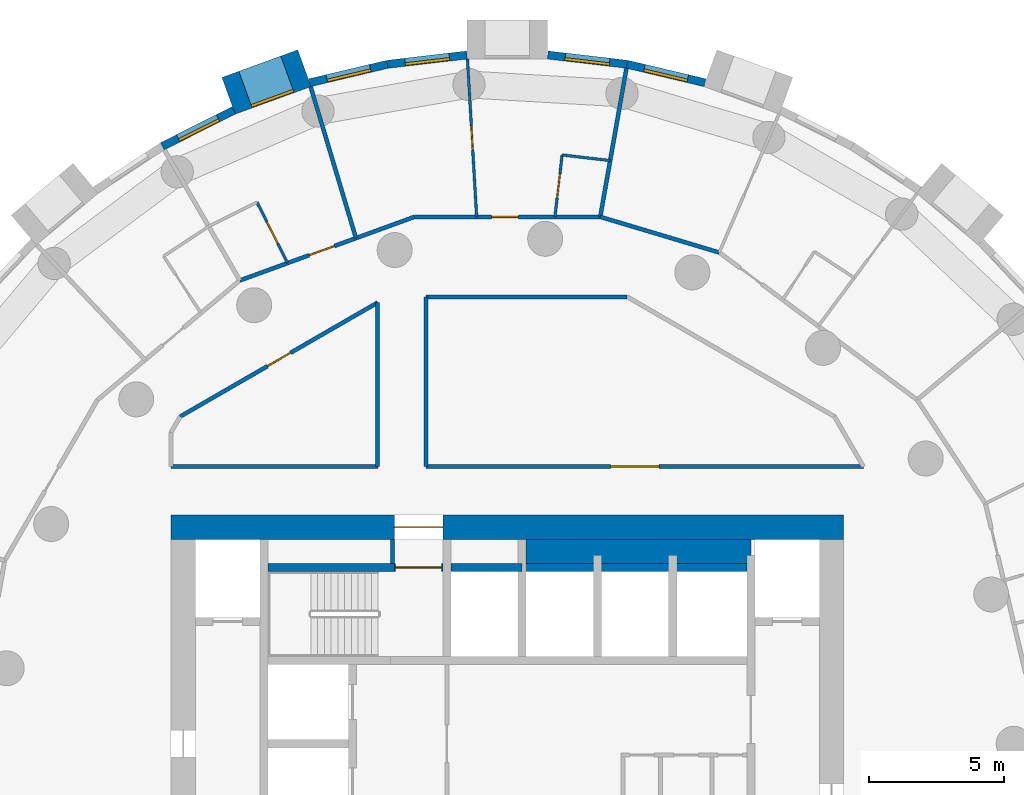
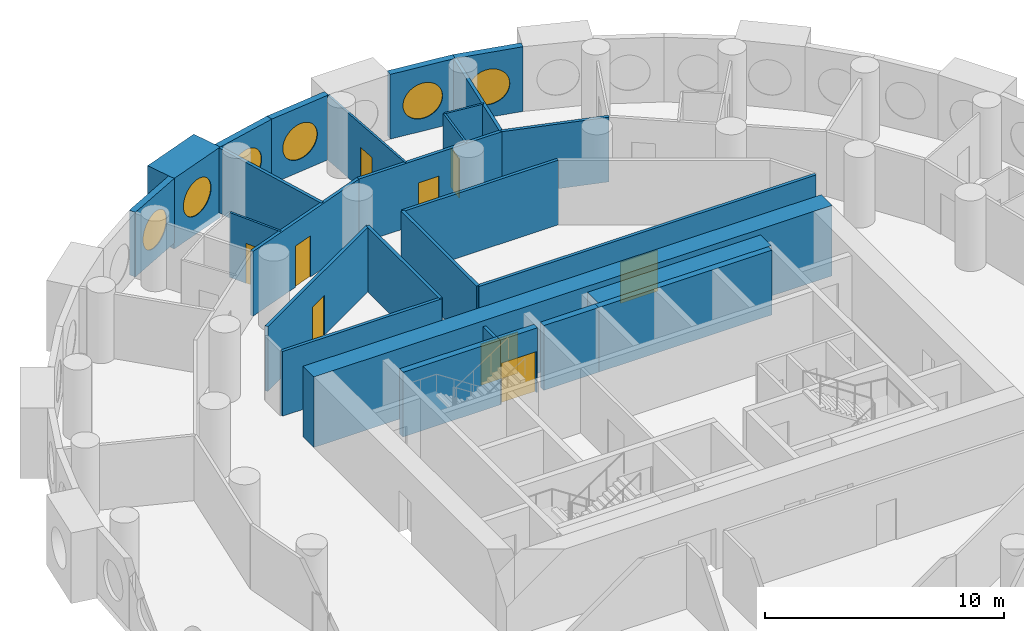
# One storey, part 6 of 9: 28 walls, 9 doors, 6 windows, 15 openings.
"""IFC4 building model written with IfcOpenShell, lengths in metres."""

import ifcopenshell
import ifcopenshell.guid

model = None  # the IFC model being written
_history = None  # IfcOwnerHistory: only IFC2X3 demands one
_inside = {}  # id of a spatial element -> (the spatial element, [elements in it])
_under = {}  # id of a project, library or spatial element -> (it, [spatial elements below it])
_declared = {}  # id of a project -> (the project, [libraries it declares])
_typed = {}  # id of a type object -> (the type object, [elements of that type])
_made_of = {}  # id of a material, layer set ... -> (it, [elements and type objects made of it])


def new_model(schema):
    """Start an empty IFC model of exactly this schema.

    Asked for "IFC4X3", IfcOpenShell would pick the latest addendum, in which some entities
    have other attributes; the version numbers below select the first issue.
    IFC2X3 requires an IfcOwnerHistory on every rooted entity: one is made here for all.
    """
    global model, _history
    if schema == "IFC4X3":
        model = ifcopenshell.file(schema_version=(4, 3, 0, 0))
    else:
        model = ifcopenshell.file(schema=schema)
    _inside.clear()
    _under.clear()
    _declared.clear()
    _typed.clear()
    _made_of.clear()
    _history = None
    if model.schema == "IFC2X3":
        org = make("IfcOrganization", Name="unknown")
        user = make(
            "IfcPersonAndOrganization",
            ThePerson=make("IfcPerson", FamilyName="unknown"),
            TheOrganization=org,
        )
        app = make(
            "IfcApplication",
            ApplicationDeveloper=org,
            Version="unknown",
            ApplicationFullName="unknown",
            ApplicationIdentifier="unknown",
        )
        _history = make(
            "IfcOwnerHistory",
            OwningUser=user,
            OwningApplication=app,
            ChangeAction="ADDED",
            CreationDate=0,
        )
    return model


def make(cls, **values):
    """One entity of the class cls with the attributes given. An attribute that is None is left unset."""
    return model.create_entity(
        cls, **{name: value for name, value in values.items() if value is not None}
    )


def rooted(cls, **values):
    """An entity with a GlobalId (a new one), such as an element, a storey or a relation."""
    return make(cls, GlobalId=ifcopenshell.guid.new(), OwnerHistory=_history, **values)


def si_unit(unit_type, name, prefix=None):
    """IfcSIUnit, for example si_unit("LENGTHUNIT", "METRE", prefix="MILLI")."""
    return make("IfcSIUnit", UnitType=unit_type, Prefix=prefix, Name=name)


def assignment(units):
    """IfcUnitAssignment: the units of a project."""
    return None if units is None else make("IfcUnitAssignment", Units=units)


def point(xyz):
    """IfcCartesianPoint."""
    return None if xyz is None else make("IfcCartesianPoint", Coordinates=xyz)


def direction(xyz):
    """IfcDirection."""
    return None if xyz is None else make("IfcDirection", DirectionRatios=xyz)


def frame(location, z_axis=None, x_axis=None):
    """IfcAxis2Placement3D, a coordinate frame: its origin and axes. An axis left out is left unset."""
    return make(
        "IfcAxis2Placement3D",
        Location=point(location),
        Axis=direction(z_axis),
        RefDirection=direction(x_axis),
    )


def frame_2d(location, x_axis=None):
    """IfcAxis2Placement2D, a coordinate frame in the plane: its origin and x axis."""
    return make(
        "IfcAxis2Placement2D", Location=point(location), RefDirection=direction(x_axis)
    )


def origin():
    """The frame at (0, 0, 0) with its axes left unset."""
    return frame((0.0, 0.0, 0.0))


def origin_2d():
    """The frame at (0, 0) in the plane with its x axis left unset."""
    return frame_2d((0.0, 0.0))


def place(relative_to, where):
    """IfcLocalPlacement: puts the frame where relative to a parent placement (None: the world)."""
    return make(
        "IfcLocalPlacement", PlacementRelTo=relative_to, RelativePlacement=where
    )


def context(
    kind, dimensions, precision=None, world=None, true_north=None, identifier=None
):
    """IfcGeometricRepresentationContext, for example the 3D "Model" context."""
    return make(
        "IfcGeometricRepresentationContext",
        ContextIdentifier=identifier,
        ContextType=kind,
        CoordinateSpaceDimension=dimensions,
        Precision=precision,
        WorldCoordinateSystem=world,
        TrueNorth=true_north,
    )


def subcontext(parent, identifier, kind, view, scale=None):
    """IfcGeometricRepresentationSubContext, for example "Body" below "Model"."""
    return make(
        "IfcGeometricRepresentationSubContext",
        ContextIdentifier=identifier,
        ContextType=kind,
        ParentContext=parent,
        TargetScale=scale,
        TargetView=view,
    )


def project(units=None, contexts=None):
    """IfcProject with its units and contexts."""
    return rooted(
        "IfcProject",
        Name="project",
        RepresentationContexts=contexts,
        UnitsInContext=assignment(units),
    )


def spatial(cls, under=None, at=None, **own):
    """A site, building, storey or space (cls), placed at a placement, below another one or the project."""
    s = rooted(cls, ObjectPlacement=at, **own)
    if under is not None:
        _under.setdefault(under.id(), (under, []))[1].append(s)
    return s


def profile(cls, at=None, kind="AREA", **sizes):
    """A parametric profile (cls). Its sizes go by their IFC names, for example OverallWidth=200.0."""
    return make(cls, ProfileType=kind, Position=at, **sizes)


def rectangle(**sizes):
    """IfcRectangleProfileDef."""
    return profile("IfcRectangleProfileDef", **sizes)


def circle(**sizes):
    """IfcCircleProfileDef."""
    return profile("IfcCircleProfileDef", **sizes)


def extrude(swept, where, along, depth):
    """IfcExtrudedAreaSolid: the profile swept, set in the frame where, extruded along a direction by depth."""
    return make(
        "IfcExtrudedAreaSolid",
        SweptArea=swept,
        Position=where,
        ExtrudedDirection=direction(along),
        Depth=depth,
    )


def shape(context_of_items, identifier, shape_type, items):
    """IfcShapeRepresentation: the items that make up one representation, for example the "Body"."""
    return make(
        "IfcShapeRepresentation",
        ContextOfItems=context_of_items,
        RepresentationIdentifier=identifier,
        RepresentationType=shape_type,
        Items=items,
    )


def material(Name=None, Category=None):
    """IfcMaterial."""
    return make("IfcMaterial", Name=Name, Category=Category)


def layer(
    of_material, thickness, ventilated=None, Name=None, Category=None, Priority=None
):
    """IfcMaterialLayer: one layer of a wall or slab, of a material (None: an air gap)."""
    return make(
        "IfcMaterialLayer",
        Material=of_material,
        LayerThickness=thickness,
        IsVentilated=ventilated,
        Name=Name,
        Category=Category,
        Priority=Priority,
    )


def layer_set(layers, Name=None):
    """IfcMaterialLayerSet."""
    return make("IfcMaterialLayerSet", MaterialLayers=layers, LayerSetName=Name)


def made_of(thing, what):
    """Note that an element or type object is made of a material, layer set ...; save() writes the relation."""
    if what is not None:
        _made_of.setdefault(what.id(), (what, []))[1].append(thing)
    return thing


def type_object(cls, material=None, **own):
    """A type object (cls), such as IfcWallType, which elements share."""
    return made_of(rooted(cls, **own), material)


def element(
    cls,
    number,
    at=None,
    inside=None,
    cuts=None,
    type_object=None,
    material=None,
    context=None,
    identifier="Body",
    shape_type=None,
    held_by="IfcProductDefinitionShape",
    body=None,
    shapes=None,
    **own,
):
    """One element of the class cls, such as IfcWall. Its Tag is "e" and its number.

    at: its placement. inside: the storey or other place that contains it. cuts: it is an
    opening in that element (IfcRelVoidsElement). A single representation is given by context,
    identifier, shape_type and body (its items); several are given by shapes. held_by: the class
    of the entity that holds the representations. save() writes the other relations.
    """
    e = rooted(cls, Tag="e%d" % number, ObjectPlacement=at, **own)
    if body is not None:
        shapes = [shape(context, identifier, shape_type, body)]
    if shapes is not None:
        e.Representation = make(held_by, Representations=shapes)
    if inside is not None:
        _inside.setdefault(inside.id(), (inside, []))[1].append(e)
    if cuts is not None:
        rooted(
            "IfcRelVoidsElement", RelatingBuildingElement=cuts, RelatedOpeningElement=e
        )
    if type_object is not None:
        _typed.setdefault(type_object.id(), (type_object, []))[1].append(e)
    return made_of(e, material)


def fill(opening, filler):
    """IfcRelFillsElement: the door or window that sits in an opening."""
    return rooted(
        "IfcRelFillsElement",
        RelatingOpeningElement=opening,
        RelatedBuildingElement=filler,
    )


def aggregate(whole, parts):
    """IfcRelAggregates: a whole, such as a stair, and the parts it consists of."""
    return rooted("IfcRelAggregates", RelatingObject=whole, RelatedObjects=parts)


def save(model, path):
    """Write the relations noted so far, then the file.

    IfcRelAggregates (storeys below a building ...), IfcRelContainedInSpatialStructure (elements
    in a storey), IfcRelDefinesByType, IfcRelAssociatesMaterial and IfcRelDeclares: one each for
    every whole, place, type object, material and project.
    """
    for whole, parts in _under.values():
        aggregate(whole, parts)
    for where, things in _inside.values():
        rooted(
            "IfcRelContainedInSpatialStructure",
            RelatedElements=things,
            RelatingStructure=where,
        )
    for kind, things in _typed.values():
        rooted("IfcRelDefinesByType", RelatedObjects=things, RelatingType=kind)
    for what, things in _made_of.values():
        rooted("IfcRelAssociatesMaterial", RelatedObjects=things, RelatingMaterial=what)
    for by, libraries in _declared.values():
        rooted("IfcRelDeclares", RelatingContext=by, RelatedDefinitions=libraries)
    model.write(path)


model = new_model("IFC4")

# Units and contexts
model_context = context("Model", 3, precision=1e-05, world=origin(), true_north=direction((0.0, 1.0)))
body_context = subcontext(model_context, "Body", "Model", "MODEL_VIEW")
ifc_project = project(units=[si_unit("LENGTHUNIT", "METRE"), si_unit("AREAUNIT", "SQUARE_METRE"), si_unit("VOLUMEUNIT", "CUBIC_METRE"), si_unit("PLANEANGLEUNIT", "RADIAN"), si_unit("MASSUNIT", "GRAM", prefix="KILO")], contexts=[model_context])

# Site, building, storey
site_placement = place(None, origin())
site = spatial("IfcSite", under=ifc_project, at=site_placement, CompositionType="ELEMENT")
building_placement = place(site_placement, origin())
building = spatial("IfcBuilding", under=site, at=building_placement, Name="Tracery Tower", CompositionType="ELEMENT")
storey_placement = place(building_placement, frame((0.0, 0.0, 169.199951171875)))
storey = spatial("IfcBuildingStorey", under=building, at=storey_placement, Name="L43", CompositionType="ELEMENT", Elevation=169.199951171875)

# Walls
ifc_material_1 = material(Name="Plasterboard on steel studs", Category="steel")
ifc_layer_1 = layer(ifc_material_1, 0.14990234375)
ifc_layer_set_1 = layer_set([ifc_layer_1], Name="Core room partition 150")
wall_type_1 = type_object("IfcWallType", Name="Core room partition 150", PredefinedType="SOLIDWALL", material=ifc_layer_set_1)
wall_1_placement = place(storey_placement, frame((-4.27490234375, 6.699951171875, 0.0), z_axis=(0.0, 0.0, 1.0), x_axis=(0.0, 1.0, 0.0)))
element("IfcWall", 1, at=wall_1_placement, inside=storey, type_object=wall_type_1, Name="L43 F N room", PredefinedType="SOLIDWALL", context=body_context, shape_type="SweptSolid", body=[
    extrude(rectangle(XDim=0.900146484375, YDim=0.14990234375, at=frame_2d((0.4501953125, 0.0))), origin(), (0.0, 0.0, 1.0), 3.300048828125),
])
ifc_material_2 = material(Name="Concrete C50/60", Category="concrete")
ifc_layer_2 = layer(ifc_material_2, 0.89990234375)
ifc_layer_set_2 = layer_set([ifc_layer_2], Name="Core strip wall 900 C50")
wall_type_2 = type_object("IfcWallType", Name="Core strip wall 900 C50", PredefinedType="SOLIDWALL", material=ifc_layer_set_2)
wall_2_placement = place(storey_placement, frame((0.699951171875, 7.14990234375, 0.0), z_axis=(0.0, 0.0, 1.0), x_axis=(1.0, 0.0, 0.0)))
element("IfcWall", 2, at=wall_2_placement, inside=storey, type_object=wall_type_2, Name="L43 F thick N E", PredefinedType="SOLIDWALL", context=body_context, shape_type="SweptSolid", body=[
    extrude(rectangle(XDim=8.35009765625, YDim=0.89990234375, at=frame_2d((4.175048828125, 0.0))), origin(), (0.0, 0.0, 1.0), 3.300048828125),
])

# Wall, opening, door
ifc_material_3 = material(Name="Concrete C50/60", Category="concrete")
ifc_layer_3 = layer(ifc_material_3, 0.89990234375)
ifc_layer_set_3 = layer_set([ifc_layer_3], Name="Core wall 900 C50")
wall_type_3 = type_object("IfcWallType", Name="Core wall 900 C50", PredefinedType="SOLIDWALL", material=ifc_layer_set_3)
wall_3_placement = place(storey_placement, frame((-12.5, 8.050048828125, 0.0), z_axis=(0.0, 0.0, 1.0), x_axis=(1.0, 0.0, 0.0)))
wall_3 = element("IfcWall", 3, at=wall_3_placement, inside=storey, type_object=wall_type_3, Name="L43 outer N", PredefinedType="SOLIDWALL", context=body_context, shape_type="SweptSolid", body=[
    extrude(rectangle(XDim=25.0, YDim=0.89990234375, at=frame_2d((12.5, 0.0))), origin(), (0.0, 0.0, 1.0), 3.60009765625),
])
opening_1_placement = place(wall_3_placement, frame((8.300048828125, 0.0, 0.0)))
opening_1 = element("IfcOpeningElement", 4, at=opening_1_placement, cuts=wall_3, Name="Opening KD13", PredefinedType="OPENING", context=body_context, shape_type="SweptSolid", body=[
    extrude(rectangle(XDim=1.800048828125, YDim=2.10009765625, at=frame_2d((0.89990234375, 1.050048828125))), frame((0.0, 0.449951171875, 0.0), z_axis=(0.0, -1.0, 0.0), x_axis=(1.0, 0.0, 0.0)), (0.0, 0.0, 1.0), 0.89990234375),
])
ifc_material_4 = material(Name="Steel fire door", Category="steel")
door_type_1 = type_object("IfcDoorType", Name="Core exit door 1800 double", OperationType="NOTDEFINED", PredefinedType="DOOR", material=ifc_material_4)
door_1_placement = place(opening_1_placement, origin())
door_1 = element("IfcDoor", 5, at=door_1_placement, inside=storey, type_object=door_type_1, Name="Core exit door", OperationType="DOUBLE_DOOR_SINGLE_SWING", OverallHeight=2.10009765625, OverallWidth=1.800048828125, PredefinedType="DOOR", context=body_context, shape_type="SweptSolid", body=[
    extrude(rectangle(XDim=1.800048828125, YDim=2.10009765625, at=frame_2d((0.89990234375, 1.050048828125))), frame((0.0, 0.02490234375, 0.0), z_axis=(0.0, -1.0, 0.0), x_axis=(1.0, 0.0, 0.0)), (0.0, 0.0, 1.0), 0.050048828125),
])
fill(opening_1, door_1)

# Wall, opening, window
ifc_material_5 = material(Name="Precast concrete C50/60", Category="concrete")
ifc_layer_4 = layer(ifc_material_5, 1.449951171875)
ifc_layer_set_4 = layer_set([ifc_layer_4], Name="Deep-set bay unit 3000 x 3600, slab edge 300")
wall_type_4 = type_object("IfcWallType", Name="Deep-set bay unit 3000 x 3600, slab edge 300", PredefinedType="ELEMENTEDWALL", material=ifc_layer_set_4)
wall_4_placement = place(storey_placement, frame((-7.544189453125, 25.11328125, -0.300048828125), z_axis=(0.0, 0.0, 1.0), x_axis=(-0.939686455819, -0.342037080957, 0.0)))
wall_4 = element("IfcWall", 6, at=wall_4_placement, inside=storey, type_object=wall_type_4, Name="Deep-set bay unit 17 at L43", PredefinedType="ELEMENTEDWALL", context=body_context, shape_type="SweptSolid", body=[
    extrude(rectangle(XDim=3.0, YDim=1.449951171875, at=frame_2d((1.5, 0.0))), origin(), (0.0, 0.0, 1.0), 3.60009765625),
])
opening_2_placement = place(wall_4_placement, frame((1.5, 0.0, 1.85009765625)))
opening_2 = element("IfcOpeningElement", 7, at=opening_2_placement, cuts=wall_4, Name="Opening WN1", PredefinedType="OPENING", context=body_context, shape_type="SweptSolid", body=[
    extrude(circle(Radius=0.9000244140625, at=origin_2d()), frame((0.0, 0.73486328125, 0.0), z_axis=(0.0, -1.0, 0.0), x_axis=(1.0, 0.0, 0.0)), (0.0, 0.0, 1.0), 1.469970703125),
])
ifc_material_6 = material(Name="Aluminium frame with tinted double glazing", Category="aluminium")
window_type = type_object("IfcWindowType", Name="Round window 1800", PartitioningType="SINGLE_PANEL", PredefinedType="WINDOW", material=ifc_material_6)
window_1_placement = place(opening_2_placement, origin())
window_1 = element("IfcWindow", 8, at=window_1_placement, inside=storey, type_object=window_type, Name="Round window 17 at L43", OverallHeight=1.800048828125, OverallWidth=1.800048828125, PartitioningType="SINGLE_PANEL", PredefinedType="WINDOW", context=body_context, shape_type="SweptSolid", body=[
    extrude(circle(Radius=0.9000244140625, at=origin_2d()), frame((0.0, 0.69482421875, 0.0), z_axis=(0.0, -1.0, 0.0), x_axis=(1.0, 0.0, 0.0)), (0.0, 0.0, 1.0), 0.10009765625),
])
fill(opening_2, window_1)

ifc_material_7 = material(Name="Precast concrete C50/60", Category="concrete")
ifc_layer_5 = layer(ifc_material_7, 0.300048828125)
ifc_layer_set_5 = layer_set([ifc_layer_5], Name="Facade panel 3000 x 3300")
wall_type_5 = type_object("IfcWallType", Name="Facade panel 3000 x 3300", PredefinedType="SOLIDWALL", material=ifc_layer_set_5)
wall_5_placement = place(storey_placement, frame((7.346435546875, 24.572265625, 0.0), z_axis=(0.0, 0.0, 1.0), x_axis=(-0.973049746156, 0.230595298102, 0.0)))
wall_5 = element("IfcWall", 9, at=wall_5_placement, inside=storey, type_object=wall_type_5, Name="Facade panel 12 at L43", PredefinedType="SOLIDWALL", context=body_context, shape_type="SweptSolid", body=[
    extrude(rectangle(XDim=2.972900390625, YDim=0.300048828125, at=frame_2d((1.486328125, 0.0))), origin(), (0.0, 0.0, 1.0), 3.300048828125),
])
opening_3_placement = place(wall_5_placement, frame((1.486328125, 0.0, 1.5498046875)))
opening_3 = element("IfcOpeningElement", 10, at=opening_3_placement, cuts=wall_5, Name="Opening WN1", PredefinedType="OPENING", context=body_context, shape_type="SweptSolid", body=[
    extrude(circle(Radius=0.9000244140625, at=origin_2d()), frame((0.0, 0.159912109375, 0.0), z_axis=(0.0, -1.0, 0.0), x_axis=(1.0, 0.0, 0.0)), (0.0, 0.0, 1.0), 0.320068359375),
])
window_2_placement = place(opening_3_placement, origin())
window_2 = element("IfcWindow", 11, at=window_2_placement, inside=storey, type_object=window_type, Name="Round window 12 at L43", OverallHeight=1.800048828125, OverallWidth=1.800048828125, PartitioningType="SINGLE_PANEL", PredefinedType="WINDOW", context=body_context, shape_type="SweptSolid", body=[
    extrude(circle(Radius=0.9000244140625, at=origin_2d()), frame((0.0, 0.1201171875, 0.0), z_axis=(0.0, -1.0, 0.0), x_axis=(1.0, 0.0, 0.0)), (0.0, 0.0, 1.0), 0.10009765625),
])
fill(opening_3, window_2)

wall_6_placement = place(storey_placement, frame((4.45361328125, 25.2578125, 0.0), z_axis=(0.0, 0.0, 1.0), x_axis=(-0.993235542767, 0.116116995244, 0.0)))
wall_6 = element("IfcWall", 12, at=wall_6_placement, inside=storey, type_object=wall_type_5, Name="Facade panel 13 at L43", PredefinedType="SOLIDWALL", context=body_context, shape_type="SweptSolid", body=[
    extrude(rectangle(XDim=2.972900390625, YDim=0.300048828125, at=frame_2d((1.486328125, 0.0))), origin(), (0.0, 0.0, 1.0), 3.300048828125),
])
opening_4_placement = place(wall_6_placement, frame((1.486328125, 0.0, 1.5498046875)))
opening_4 = element("IfcOpeningElement", 13, at=opening_4_placement, cuts=wall_6, Name="Opening WN1", PredefinedType="OPENING", context=body_context, shape_type="SweptSolid", body=[
    extrude(circle(Radius=0.9000244140625, at=origin_2d()), frame((0.0, 0.159912109375, 0.0), z_axis=(0.0, -1.0, 0.0), x_axis=(1.0, 0.0, 0.0)), (0.0, 0.0, 1.0), 0.320068359375),
])
window_3_placement = place(opening_4_placement, origin())
window_3 = element("IfcWindow", 14, at=window_3_placement, inside=storey, type_object=window_type, Name="Round window 13 at L43", OverallHeight=1.800048828125, OverallWidth=1.800048828125, PartitioningType="SINGLE_PANEL", PredefinedType="WINDOW", context=body_context, shape_type="SweptSolid", body=[
    extrude(circle(Radius=0.9000244140625, at=origin_2d()), frame((0.0, 0.1201171875, 0.0), z_axis=(0.0, -1.0, 0.0), x_axis=(1.0, 0.0, 0.0)), (0.0, 0.0, 1.0), 0.10009765625),
])
fill(opening_4, window_3)

wall_7_placement = place(storey_placement, frame((-1.500732421875, 25.60302734375, 0.0), z_axis=(0.0, 0.0, 1.0), x_axis=(-0.993235542767, -0.116116995244, 0.0)))
wall_7 = element("IfcWall", 15, at=wall_7_placement, inside=storey, type_object=wall_type_5, Name="Facade panel 15 at L43", PredefinedType="SOLIDWALL", context=body_context, shape_type="SweptSolid", body=[
    extrude(rectangle(XDim=2.972900390625, YDim=0.300048828125, at=frame_2d((1.486328125, 0.0))), origin(), (0.0, 0.0, 1.0), 3.300048828125),
])
opening_5_placement = place(wall_7_placement, frame((1.486328125, 0.0, 1.5498046875)))
opening_5 = element("IfcOpeningElement", 16, at=opening_5_placement, cuts=wall_7, Name="Opening WN1", PredefinedType="OPENING", context=body_context, shape_type="SweptSolid", body=[
    extrude(circle(Radius=0.9000244140625, at=origin_2d()), frame((0.0, 0.159912109375, 0.0), z_axis=(0.0, -1.0, 0.0), x_axis=(1.0, 0.0, 0.0)), (0.0, 0.0, 1.0), 0.320068359375),
])
window_4_placement = place(opening_5_placement, origin())
window_4 = element("IfcWindow", 17, at=window_4_placement, inside=storey, type_object=window_type, Name="Round window 15 at L43", OverallHeight=1.800048828125, OverallWidth=1.800048828125, PartitioningType="SINGLE_PANEL", PredefinedType="WINDOW", context=body_context, shape_type="SweptSolid", body=[
    extrude(circle(Radius=0.9000244140625, at=origin_2d()), frame((0.0, 0.1201171875, 0.0), z_axis=(0.0, -1.0, 0.0), x_axis=(1.0, 0.0, 0.0)), (0.0, 0.0, 1.0), 0.10009765625),
])
fill(opening_5, window_4)

wall_8_placement = place(storey_placement, frame((-4.45361328125, 25.2578125, 0.0), z_axis=(0.0, 0.0, 1.0), x_axis=(-0.973049746156, -0.230595298102, 0.0)))
wall_8 = element("IfcWall", 18, at=wall_8_placement, inside=storey, type_object=wall_type_5, Name="Facade panel 16 at L43", PredefinedType="SOLIDWALL", context=body_context, shape_type="SweptSolid", body=[
    extrude(rectangle(XDim=2.972900390625, YDim=0.300048828125, at=frame_2d((1.486328125, 0.0))), origin(), (0.0, 0.0, 1.0), 3.300048828125),
])
opening_6_placement = place(wall_8_placement, frame((1.486328125, 0.0, 1.5498046875)))
opening_6 = element("IfcOpeningElement", 19, at=opening_6_placement, cuts=wall_8, Name="Opening WN1", PredefinedType="OPENING", context=body_context, shape_type="SweptSolid", body=[
    extrude(circle(Radius=0.9000244140625, at=origin_2d()), frame((0.0, 0.159912109375, 0.0), z_axis=(0.0, -1.0, 0.0), x_axis=(1.0, 0.0, 0.0)), (0.0, 0.0, 1.0), 0.320068359375),
])
window_5_placement = place(opening_6_placement, origin())
window_5 = element("IfcWindow", 20, at=window_5_placement, inside=storey, type_object=window_type, Name="Round window 16 at L43", OverallHeight=1.800048828125, OverallWidth=1.800048828125, PartitioningType="SINGLE_PANEL", PredefinedType="WINDOW", context=body_context, shape_type="SweptSolid", body=[
    extrude(circle(Radius=0.9000244140625, at=origin_2d()), frame((0.0, 0.1201171875, 0.0), z_axis=(0.0, -1.0, 0.0), x_axis=(1.0, 0.0, 0.0)), (0.0, 0.0, 1.0), 0.10009765625),
])
fill(opening_6, window_5)

wall_9_placement = place(storey_placement, frame((-10.1669921875, 23.545654296875, 0.0), z_axis=(0.0, 0.0, 1.0), x_axis=(-0.893637442555, -0.448789618045, 0.0)))
wall_9 = element("IfcWall", 21, at=wall_9_placement, inside=storey, type_object=wall_type_5, Name="Facade panel 18 at L43", PredefinedType="SOLIDWALL", context=body_context, shape_type="SweptSolid", body=[
    extrude(rectangle(XDim=2.972900390625, YDim=0.300048828125, at=frame_2d((1.486328125, 0.0))), origin(), (0.0, 0.0, 1.0), 3.300048828125),
])
opening_7_placement = place(wall_9_placement, frame((1.486328125, 0.0, 1.5498046875)))
opening_7 = element("IfcOpeningElement", 22, at=opening_7_placement, cuts=wall_9, Name="Opening WN1", PredefinedType="OPENING", context=body_context, shape_type="SweptSolid", body=[
    extrude(circle(Radius=0.9000244140625, at=origin_2d()), frame((0.0, 0.159912109375, 0.0), z_axis=(0.0, -1.0, 0.0), x_axis=(1.0, 0.0, 0.0)), (0.0, 0.0, 1.0), 0.320068359375),
])
window_6_placement = place(opening_7_placement, origin())
window_6 = element("IfcWindow", 23, at=window_6_placement, inside=storey, type_object=window_type, Name="Round window 18 at L43", OverallHeight=1.800048828125, OverallWidth=1.800048828125, PartitioningType="SINGLE_PANEL", PredefinedType="WINDOW", context=body_context, shape_type="SweptSolid", body=[
    extrude(circle(Radius=0.9000244140625, at=origin_2d()), frame((0.0, 0.1201171875, 0.0), z_axis=(0.0, -1.0, 0.0), x_axis=(1.0, 0.0, 0.0)), (0.0, 0.0, 1.0), 0.10009765625),
])
fill(opening_7, window_6)

# Wall, opening, door
ifc_material_8 = material(Name="Plasterboard on steel studs", Category="steel")
ifc_layer_6 = layer(ifc_material_8, 0.10009765625)
ifc_layer_set_6 = layer_set([ifc_layer_6], Name="Partition 100 stud")
wall_type_6 = type_object("IfcWallType", Name="Partition 100 stud", PredefinedType="PARTITIONING", material=ifc_layer_set_6)
wall_10_placement = place(storey_placement, frame((-1.48291015625, 25.4541015625, 0.0), z_axis=(0.0, 0.0, 1.0), x_axis=(0.058147412668, -0.998308007781, 0.0)))
wall_10 = element("IfcWall", 24, at=wall_10_placement, inside=storey, type_object=wall_type_6, Name="Stud partition RB5-052", PredefinedType="PARTITIONING", context=body_context, shape_type="SweptSolid", body=[
    extrude(rectangle(XDim=5.878173828125, YDim=0.10009765625, at=frame_2d((2.93896484375, 0.0))), origin(), (0.0, 0.0, 1.0), 3.300048828125),
])
opening_8_placement = place(wall_10_placement, frame((2.489013671875, 0.0, 0.0)))
opening_8 = element("IfcOpeningElement", 25, at=opening_8_placement, cuts=wall_10, Name="Opening RB5-13", PredefinedType="OPENING", context=body_context, shape_type="SweptSolid", body=[
    extrude(rectangle(XDim=0.89990234375, YDim=2.10009765625, at=frame_2d((0.449951171875, 1.050048828125))), frame((0.0, 0.050048828125, 0.0), z_axis=(0.0, -1.0, 0.0), x_axis=(1.0, 0.0, 0.0)), (0.0, 0.0, 1.0), 0.10009765625),
])
ifc_material_9 = material(Name="Timber door leaf", Category="wood")
door_type_2 = type_object("IfcDoorType", Name="Door bedroom 900", OperationType="NOTDEFINED", PredefinedType="DOOR", material=ifc_material_9)
door_2_placement = place(opening_8_placement, origin())
door_2 = element("IfcDoor", 26, at=door_2_placement, inside=storey, type_object=door_type_2, Name="Bedroom door RB5-13", OperationType="SINGLE_SWING_RIGHT", OverallHeight=2.10009765625, OverallWidth=0.89990234375, PredefinedType="DOOR", context=body_context, shape_type="SweptSolid", body=[
    extrude(rectangle(XDim=0.89990234375, YDim=2.10009765625, at=frame_2d((0.449951171875, 1.050048828125))), frame((0.0, 0.02490234375, 0.0), z_axis=(0.0, -1.0, 0.0), x_axis=(1.0, 0.0, 0.0)), (0.0, 0.0, 1.0), 0.050048828125),
])
fill(opening_8, door_2)

# Wall
ifc_material_10 = material(Name="Plasterboard on steel studs", Category="steel")
ifc_layer_7 = layer(ifc_material_10, 0.10009765625)
ifc_layer_set_7 = layer_set([ifc_layer_7], Name="Partition 100 wet wall")
wall_type_7 = type_object("IfcWallType", Name="Partition 100 wet wall", PredefinedType="PARTITIONING", material=ifc_layer_set_7)
wall_11_placement = place(storey_placement, frame((2.037109375, 21.886962890625, 0.0), z_axis=(0.0, 0.0, 1.0), x_axis=(0.993215363366, -0.116289474906, 0.0)))
element("IfcWall", 27, at=wall_11_placement, inside=storey, type_object=wall_type_7, Name="Wet wall RB5-053", PredefinedType="PARTITIONING", context=body_context, shape_type="SweptSolid", body=[
    extrude(rectangle(XDim=1.797119140625, YDim=0.10009765625, at=frame_2d((0.8984375, 0.0))), origin(), (0.0, 0.0, 1.0), 3.300048828125),
])

# Wall, opening, door
wall_12_placement = place(storey_placement, frame((1.76806640625, 19.5859375, 0.0), z_axis=(0.0, 0.0, 1.0), x_axis=(0.116131951318, 0.993233794171, 0.0)))
wall_12 = element("IfcWall", 28, at=wall_12_placement, inside=storey, type_object=wall_type_7, Name="Wet wall RB5-054", PredefinedType="PARTITIONING", context=body_context, shape_type="SweptSolid", body=[
    extrude(rectangle(XDim=2.316650390625, YDim=0.10009765625, at=frame_2d((1.158203125, 0.0))), origin(), (0.0, 0.0, 1.0), 3.300048828125),
])
opening_9_placement = place(wall_12_placement, frame((0.708740234375, 0.0, 0.0)))
opening_9 = element("IfcOpeningElement", 29, at=opening_9_placement, cuts=wall_12, Name="Opening RB5-14", PredefinedType="OPENING", context=body_context, shape_type="SweptSolid", body=[
    extrude(rectangle(XDim=0.89990234375, YDim=2.0, at=frame_2d((0.449951171875, 1.0))), frame((0.0, 0.050048828125, 0.0), z_axis=(0.0, -1.0, 0.0), x_axis=(1.0, 0.0, 0.0)), (0.0, 0.0, 1.0), 0.10009765625),
])
ifc_material_11 = material(Name="Timber door leaf", Category="wood")
door_type_3 = type_object("IfcDoorType", Name="Door shower room 900", OperationType="NOTDEFINED", PredefinedType="DOOR", material=ifc_material_11)
door_3_placement = place(opening_9_placement, origin())
door_3 = element("IfcDoor", 30, at=door_3_placement, inside=storey, type_object=door_type_3, Name="Shower room door RB5-14", OperationType="SINGLE_SWING_LEFT", OverallHeight=2.0, OverallWidth=0.89990234375, PredefinedType="DOOR", context=body_context, shape_type="SweptSolid", body=[
    extrude(rectangle(XDim=0.89990234375, YDim=2.0, at=frame_2d((0.449951171875, 1.0))), frame((0.0, 0.02490234375, 0.0), z_axis=(0.0, -1.0, 0.0), x_axis=(1.0, 0.0, 0.0)), (0.0, 0.0, 1.0), 0.050048828125),
])
fill(opening_9, door_3)

wall_13_placement = place(storey_placement, frame((-9.305908203125, 20.1279296875, 0.0), z_axis=(0.0, 0.0, 1.0), x_axis=(0.448950999616, -0.893556377597, 0.0)))
wall_13 = element("IfcWall", 31, at=wall_13_placement, inside=storey, type_object=wall_type_7, Name="Wet wall RB5-056", PredefinedType="PARTITIONING", context=body_context, shape_type="SweptSolid", body=[
    extrude(rectangle(XDim=2.528076171875, YDim=0.10009765625, at=frame_2d((1.26416015625, 0.0))), origin(), (0.0, 0.0, 1.0), 3.300048828125),
])
opening_10_placement = place(wall_13_placement, frame((0.814208984375, 0.0, 0.0)))
opening_10 = element("IfcOpeningElement", 32, at=opening_10_placement, cuts=wall_13, Name="Opening RB5-16", PredefinedType="OPENING", context=body_context, shape_type="SweptSolid", body=[
    extrude(rectangle(XDim=0.89990234375, YDim=2.0400390625, at=frame_2d((0.449951171875, 1.02001953125))), frame((0.0, 0.050048828125, 0.0), z_axis=(0.0, -1.0, 0.0), x_axis=(1.0, 0.0, 0.0)), (0.0, 0.0, 1.0), 0.10009765625),
])
ifc_material_12 = material(Name="Timber door leaf", Category="wood")
door_type_4 = type_object("IfcDoorType", Name="Door en-suite 900", OperationType="NOTDEFINED", PredefinedType="DOOR", material=ifc_material_12)
door_4_placement = place(opening_10_placement, origin())
door_4 = element("IfcDoor", 33, at=door_4_placement, inside=storey, type_object=door_type_4, Name="En-suite door RB5-16", OperationType="SINGLE_SWING_LEFT", OverallHeight=2.0400390625, OverallWidth=0.89990234375, PredefinedType="DOOR", context=body_context, shape_type="SweptSolid", body=[
    extrude(rectangle(XDim=0.89990234375, YDim=2.0400390625, at=frame_2d((0.449951171875, 1.02001953125))), frame((0.0, 0.02490234375, 0.0), z_axis=(0.0, -1.0, 0.0), x_axis=(1.0, 0.0, 0.0)), (0.0, 0.0, 1.0), 0.050048828125),
])
fill(opening_10, door_4)

# Walls
ifc_material_13 = material(Name="Plasterboard on steel studs", Category="steel")
ifc_layer_8 = layer(ifc_material_13, 0.14990234375)
ifc_layer_set_8 = layer_set([ifc_layer_8], Name="Partition 150 acoustic unit wall")
wall_type_8 = type_object("IfcWallType", Name="Partition 150 acoustic unit wall", PredefinedType="PARTITIONING", material=ifc_layer_set_8)
wall_14_placement = place(storey_placement, frame((3.45361328125, 19.5859375, 0.0), z_axis=(0.0, 0.0, 1.0), x_axis=(0.173700915874, 0.984798452387, 0.0)))
element("IfcWall", 34, at=wall_14_placement, inside=storey, type_object=wall_type_8, Name="Unit wall RB5-051", PredefinedType="PARTITIONING", context=body_context, shape_type="SweptSolid", body=[
    extrude(rectangle(XDim=5.609375, YDim=0.14990234375, at=frame_2d((2.8046875, 0.0))), origin(), (0.0, 0.0, 1.0), 3.300048828125),
])
wall_15_placement = place(storey_placement, frame((-7.31298828125, 24.426025390625, 0.0), z_axis=(0.0, 0.0, 1.0), x_axis=(0.286833432865, -0.957980470464, 0.0)))
element("IfcWall", 35, at=wall_15_placement, inside=storey, type_object=wall_type_8, Name="Unit wall RB5-055", PredefinedType="PARTITIONING", context=body_context, shape_type="SweptSolid", body=[
    extrude(rectangle(XDim=5.878173828125, YDim=0.14990234375, at=frame_2d((2.93896484375, 0.0))), origin(), (0.0, 0.0, 1.0), 3.300048828125),
])
ifc_material_14 = material(Name="Plasterboard on steel studs", Category="steel")
ifc_layer_9 = layer(ifc_material_14, 0.14990234375)
ifc_layer_set_9 = layer_set([ifc_layer_9], Name="Partition 150 corridor wall")
wall_type_9 = type_object("IfcWallType", Name="Partition 150 corridor wall", PredefinedType="PARTITIONING", material=ifc_layer_set_9)
wall_16_placement = place(storey_placement, frame((-12.50390625, 10.300048828125, 0.0), z_axis=(0.0, 0.0, 1.0), x_axis=(1.0, 0.0, 0.0)))
element("IfcWall", 36, at=wall_16_placement, inside=storey, type_object=wall_type_9, Name="Corridor wall RB5-001", PredefinedType="PARTITIONING", context=body_context, shape_type="SweptSolid", body=[
    extrude(rectangle(XDim=7.68701171875, YDim=0.14990234375, at=frame_2d((3.843505859375, 0.0))), origin(), (0.0, 0.0, 1.0), 3.300048828125),
])

# Wall, opening, door
wall_17_placement = place(storey_placement, frame((-3.02490234375, 10.300048828125, 0.0), z_axis=(0.0, 0.0, 1.0), x_axis=(1.0, 0.0, 0.0)))
wall_17 = element("IfcWall", 37, at=wall_17_placement, inside=storey, type_object=wall_type_9, Name="Corridor wall RB5-002", PredefinedType="PARTITIONING", context=body_context, shape_type="SweptSolid", body=[
    extrude(rectangle(XDim=16.261962890625, YDim=0.14990234375, at=frame_2d((8.130859375, 0.0))), origin(), (0.0, 0.0, 1.0), 3.300048828125),
])
opening_11_placement = place(wall_17_placement, frame((6.863037109375, 0.0, 0.0)))
opening_11 = element("IfcOpeningElement", 38, at=opening_11_placement, cuts=wall_17, Name="Opening RB5-02", PredefinedType="OPENING", context=body_context, shape_type="SweptSolid", body=[
    extrude(rectangle(XDim=1.800048828125, YDim=2.10009765625, at=frame_2d((0.89990234375, 1.050048828125))), frame((0.0, 0.074951171875, 0.0), z_axis=(0.0, -1.0, 0.0), x_axis=(1.0, 0.0, 0.0)), (0.0, 0.0, 1.0), 0.14990234375),
])
ifc_material_15 = material(Name="Timber door leaf", Category="wood")
door_type_5 = type_object("IfcDoorType", Name="Door double lounge 1800", OperationType="NOTDEFINED", PredefinedType="DOOR", material=ifc_material_15)
door_5_placement = place(opening_11_placement, origin())
door_5 = element("IfcDoor", 39, at=door_5_placement, inside=storey, type_object=door_type_5, Name="Double lounge door RB5-02", OperationType="DOUBLE_DOOR_SINGLE_SWING", OverallHeight=2.10009765625, OverallWidth=1.800048828125, PredefinedType="DOOR", context=body_context, shape_type="SweptSolid", body=[
    extrude(rectangle(XDim=1.800048828125, YDim=2.10009765625, at=frame_2d((0.89990234375, 1.050048828125))), frame((0.0, 0.02490234375, 0.0), z_axis=(0.0, -1.0, 0.0), x_axis=(1.0, 0.0, 0.0)), (0.0, 0.0, 1.0), 0.050048828125),
])
fill(opening_11, door_5)

# Wall
wall_18_placement = place(storey_placement, frame((-4.821044921875, 10.300048828125, 0.0), z_axis=(0.0, 0.0, 1.0), x_axis=(0.0, 1.0, 0.0)))
element("IfcWall", 40, at=wall_18_placement, inside=storey, type_object=wall_type_9, Name="Corridor wall RB5-013", PredefinedType="PARTITIONING", context=body_context, shape_type="SweptSolid", body=[
    extrude(rectangle(XDim=6.100830078125, YDim=0.14990234375, at=frame_2d((3.05029296875, 0.0))), origin(), (0.0, 0.0, 1.0), 3.300048828125),
])

# Wall, opening, door
wall_19_placement = place(storey_placement, frame((-12.162109375, 12.162109375, 0.0), z_axis=(0.0, 0.0, 1.0), x_axis=(0.866004766557, 0.500035743023, 0.0)))
wall_19 = element("IfcWall", 41, at=wall_19_placement, inside=storey, type_object=wall_type_9, Name="Corridor wall RB5-014", PredefinedType="PARTITIONING", context=body_context, shape_type="SweptSolid", body=[
    extrude(rectangle(XDim=8.47705078125, YDim=0.14990234375, at=frame_2d((4.238525390625, 0.0))), origin(), (0.0, 0.0, 1.0), 3.300048828125),
])
opening_12_placement = place(wall_19_placement, frame((3.739013671875, 0.0, 0.0)))
opening_12 = element("IfcOpeningElement", 42, at=opening_12_placement, cuts=wall_19, Name="Opening RB5-01", PredefinedType="OPENING", context=body_context, shape_type="SweptSolid", body=[
    extrude(rectangle(XDim=1.0, YDim=2.0400390625, at=frame_2d((0.5, 1.02001953125))), frame((0.0, 0.074951171875, 0.0), z_axis=(0.0, -1.0, 0.0), x_axis=(1.0, 0.0, 0.0)), (0.0, 0.0, 1.0), 0.14990234375),
])
ifc_material_16 = material(Name="Timber door leaf", Category="wood")
door_type_6 = type_object("IfcDoorType", Name="Door communal room 1000", OperationType="NOTDEFINED", PredefinedType="DOOR", material=ifc_material_16)
door_6_placement = place(opening_12_placement, origin())
door_6 = element("IfcDoor", 43, at=door_6_placement, inside=storey, type_object=door_type_6, Name="Communal room door RB5-01", OperationType="SINGLE_SWING_LEFT", OverallHeight=2.0400390625, OverallWidth=1.0, PredefinedType="DOOR", context=body_context, shape_type="SweptSolid", body=[
    extrude(rectangle(XDim=1.0, YDim=2.0400390625, at=frame_2d((0.5, 1.02001953125))), frame((0.0, 0.02490234375, 0.0), z_axis=(0.0, -1.0, 0.0), x_axis=(1.0, 0.0, 0.0)), (0.0, 0.0, 1.0), 0.050048828125),
])
fill(opening_12, door_6)

# Walls
wall_20_placement = place(storey_placement, frame((-3.02099609375, 16.614013671875, 0.0), z_axis=(0.0, 0.0, 1.0), x_axis=(1.0, 0.0, 0.0)))
element("IfcWall", 44, at=wall_20_placement, inside=storey, type_object=wall_type_9, Name="Corridor wall RB5-016", PredefinedType="PARTITIONING", context=body_context, shape_type="SweptSolid", body=[
    extrude(rectangle(XDim=7.472900390625, YDim=0.14990234375, at=frame_2d((3.736328125, 0.0))), origin(), (0.0, 0.0, 1.0), 3.300048828125),
])
wall_21_placement = place(storey_placement, frame((-3.02099609375, 10.300048828125, 0.0), z_axis=(0.0, 0.0, 1.0), x_axis=(0.0, 1.0, 0.0)))
element("IfcWall", 45, at=wall_21_placement, inside=storey, type_object=wall_type_9, Name="Corridor wall RB5-017", PredefinedType="PARTITIONING", context=body_context, shape_type="SweptSolid", body=[
    extrude(rectangle(XDim=6.31396484375, YDim=0.14990234375, at=frame_2d((3.156982421875, 0.0))), origin(), (0.0, 0.0, 1.0), 3.300048828125),
])
wall_22_placement = place(storey_placement, frame((3.452880859375, 19.5859375, 0.0), z_axis=(0.0, 0.0, 1.0), x_axis=(0.95796149329, -0.286896806141, 0.0)))
element("IfcWall", 46, at=wall_22_placement, inside=storey, type_object=wall_type_9, Name="Corridor wall RB5-018", PredefinedType="PARTITIONING", context=body_context, shape_type="SweptSolid", body=[
    extrude(rectangle(XDim=4.6181640625, YDim=0.14990234375, at=frame_2d((2.30908203125, 0.0))), origin(), (0.0, 0.0, 1.0), 3.300048828125),
])

# Wall, opening, door
wall_23_placement = place(storey_placement, frame((-3.452880859375, 19.5859375, 0.0), z_axis=(0.0, 0.0, 1.0), x_axis=(1.0, 0.0, 0.0)))
wall_23 = element("IfcWall", 47, at=wall_23_placement, inside=storey, type_object=wall_type_9, Name="Corridor wall RB5-019", PredefinedType="PARTITIONING", context=body_context, shape_type="SweptSolid", body=[
    extrude(rectangle(XDim=6.90576171875, YDim=0.14990234375, at=frame_2d((3.452880859375, 0.0))), origin(), (0.0, 0.0, 1.0), 3.300048828125),
])
opening_13_placement = place(wall_23_placement, frame((2.865966796875, 0.0, 0.0)))
opening_13 = element("IfcOpeningElement", 48, at=opening_13_placement, cuts=wall_23, Name="Opening RB5-15", PredefinedType="OPENING", context=body_context, shape_type="SweptSolid", body=[
    extrude(rectangle(XDim=1.0, YDim=2.10009765625, at=frame_2d((0.5, 1.050048828125))), frame((0.0, 0.074951171875, 0.0), z_axis=(0.0, -1.0, 0.0), x_axis=(1.0, 0.0, 0.0)), (0.0, 0.0, 1.0), 0.14990234375),
])
ifc_material_17 = material(Name="Timber door leaf", Category="wood")
door_type_7 = type_object("IfcDoorType", Name="Door unit entrance 1000", OperationType="NOTDEFINED", PredefinedType="DOOR", material=ifc_material_17)
door_7_placement = place(opening_13_placement, origin())
door_7 = element("IfcDoor", 49, at=door_7_placement, inside=storey, type_object=door_type_7, Name="Unit entrance door RB5-15", OperationType="SINGLE_SWING_LEFT", OverallHeight=2.10009765625, OverallWidth=1.0, PredefinedType="DOOR", context=body_context, shape_type="SweptSolid", body=[
    extrude(rectangle(XDim=1.0, YDim=2.10009765625, at=frame_2d((0.5, 1.050048828125))), frame((0.0, 0.02490234375, 0.0), z_axis=(0.0, -1.0, 0.0), x_axis=(1.0, 0.0, 0.0)), (0.0, 0.0, 1.0), 0.050048828125),
])
fill(opening_13, door_7)

wall_24_placement = place(storey_placement, frame((-9.943603515625, 17.2216796875, 0.0), z_axis=(0.0, 0.0, 1.0), x_axis=(0.939607544688, 0.342253797591, 0.0)))
wall_24 = element("IfcWall", 50, at=wall_24_placement, inside=storey, type_object=wall_type_9, Name="Corridor wall RB5-020", PredefinedType="PARTITIONING", context=body_context, shape_type="SweptSolid", body=[
    extrude(rectangle(XDim=6.907958984375, YDim=0.14990234375, at=frame_2d((3.4541015625, 0.0))), origin(), (0.0, 0.0, 1.0), 3.300048828125),
])
opening_14_placement = place(wall_24_placement, frame((2.740478515625, 0.0, 0.0)))
opening_14 = element("IfcOpeningElement", 51, at=opening_14_placement, cuts=wall_24, Name="Opening RB5-17", PredefinedType="OPENING", context=body_context, shape_type="SweptSolid", body=[
    extrude(rectangle(XDim=1.0, YDim=2.10009765625, at=frame_2d((0.5, 1.050048828125))), frame((0.0, 0.074951171875, 0.0), z_axis=(0.0, -1.0, 0.0), x_axis=(1.0, 0.0, 0.0)), (0.0, 0.0, 1.0), 0.14990234375),
])
door_8_placement = place(opening_14_placement, origin())
door_8 = element("IfcDoor", 52, at=door_8_placement, inside=storey, type_object=door_type_7, Name="Unit entrance door RB5-17", OperationType="SINGLE_SWING_LEFT", OverallHeight=2.10009765625, OverallWidth=1.0, PredefinedType="DOOR", context=body_context, shape_type="SweptSolid", body=[
    extrude(rectangle(XDim=1.0, YDim=2.10009765625, at=frame_2d((0.5, 1.050048828125))), frame((0.0, 0.02490234375, 0.0), z_axis=(0.0, -1.0, 0.0), x_axis=(1.0, 0.0, 0.0)), (0.0, 0.0, 1.0), 0.050048828125),
])
fill(opening_14, door_8)

# Wall
ifc_material_18 = material(Name="Concrete C50/60", Category="concrete")
ifc_layer_10 = layer(ifc_material_18, 0.300048828125)
ifc_layer_set_10 = layer_set([ifc_layer_10], Name="Stair wall 300 C50")
wall_type_10 = type_object("IfcWallType", Name="Stair wall 300 C50", PredefinedType="SOLIDWALL", material=ifc_layer_set_10)
wall_25_placement = place(storey_placement, frame((-8.89990234375, 6.550048828125, 0.0), z_axis=(0.0, 0.0, 1.0), x_axis=(1.0, 0.0, 0.0)))
element("IfcWall", 53, at=wall_25_placement, inside=storey, type_object=wall_type_10, Name="L43 F N W", PredefinedType="SOLIDWALL", context=body_context, shape_type="SweptSolid", body=[
    extrude(rectangle(XDim=4.699951171875, YDim=0.300048828125, at=frame_2d((2.35009765625, 0.0))), origin(), (0.0, 0.0, 1.0), 3.300048828125),
])

# Wall, opening, door
wall_26_placement = place(storey_placement, frame((-4.199951171875, 6.550048828125, 0.0), z_axis=(0.0, 0.0, 1.0), x_axis=(1.0, 0.0, 0.0)))
wall_26 = element("IfcWall", 54, at=wall_26_placement, inside=storey, type_object=wall_type_10, Name="L43 F stair N", PredefinedType="SOLIDWALL", context=body_context, shape_type="SweptSolid", body=[
    extrude(rectangle(XDim=1.800048828125, YDim=0.300048828125, at=frame_2d((0.89990234375, 0.0))), origin(), (0.0, 0.0, 1.0), 3.300048828125),
])
opening_15_placement = place(wall_26_placement, frame((0.050048828125, 0.0, 0.0)))
opening_15 = element("IfcOpeningElement", 55, at=opening_15_placement, cuts=wall_26, Name="Opening KD3", PredefinedType="OPENING", context=body_context, shape_type="SweptSolid", body=[
    extrude(rectangle(XDim=1.699951171875, YDim=2.10009765625, at=frame_2d((0.85009765625, 1.050048828125))), frame((0.0, 0.14990234375, 0.0), z_axis=(0.0, -1.0, 0.0), x_axis=(1.0, 0.0, 0.0)), (0.0, 0.0, 1.0), 0.300048828125),
])
ifc_material_19 = material(Name="Steel fire door", Category="steel")
door_type_8 = type_object("IfcDoorType", Name="Core stair door 1700 double", OperationType="NOTDEFINED", PredefinedType="DOOR", material=ifc_material_19)
door_9_placement = place(opening_15_placement, origin())
door_9 = element("IfcDoor", 56, at=door_9_placement, inside=storey, type_object=door_type_8, Name="Stair door vest", OperationType="DOUBLE_DOOR_SINGLE_SWING", OverallHeight=2.10009765625, OverallWidth=1.699951171875, PredefinedType="DOOR", context=body_context, shape_type="SweptSolid", body=[
    extrude(rectangle(XDim=1.699951171875, YDim=2.10009765625, at=frame_2d((0.85009765625, 1.050048828125))), frame((0.0, 0.02490234375, 0.0), z_axis=(0.0, -1.0, 0.0), x_axis=(1.0, 0.0, 0.0)), (0.0, 0.0, 1.0), 0.050048828125),
])
fill(opening_15, door_9)

# Walls
wall_27_placement = place(storey_placement, frame((-2.10009765625, 6.550048828125, 0.0), z_axis=(0.0, 0.0, 1.0), x_axis=(1.0, 0.0, 0.0)))
element("IfcWall", 57, at=wall_27_placement, inside=storey, type_object=wall_type_10, Name="L43 F N E1", PredefinedType="SOLIDWALL", context=body_context, shape_type="SweptSolid", body=[
    extrude(rectangle(XDim=2.650146484375, YDim=0.300048828125, at=frame_2d((1.3251953125, 0.0))), origin(), (0.0, 0.0, 1.0), 3.300048828125),
])
wall_28_placement = place(storey_placement, frame((0.550048828125, 6.550048828125, 0.0), z_axis=(0.0, 0.0, 1.0), x_axis=(1.0, 0.0, 0.0)))
element("IfcWall", 58, at=wall_28_placement, inside=storey, type_object=wall_type_10, Name="L43 F stair strip N E", PredefinedType="SOLIDWALL", context=body_context, shape_type="SweptSolid", body=[
    extrude(rectangle(XDim=8.349853515625, YDim=0.300048828125, at=frame_2d((4.1748046875, 0.0))), origin(), (0.0, 0.0, 1.0), 3.300048828125),
])

save(model, "model.ifc")
